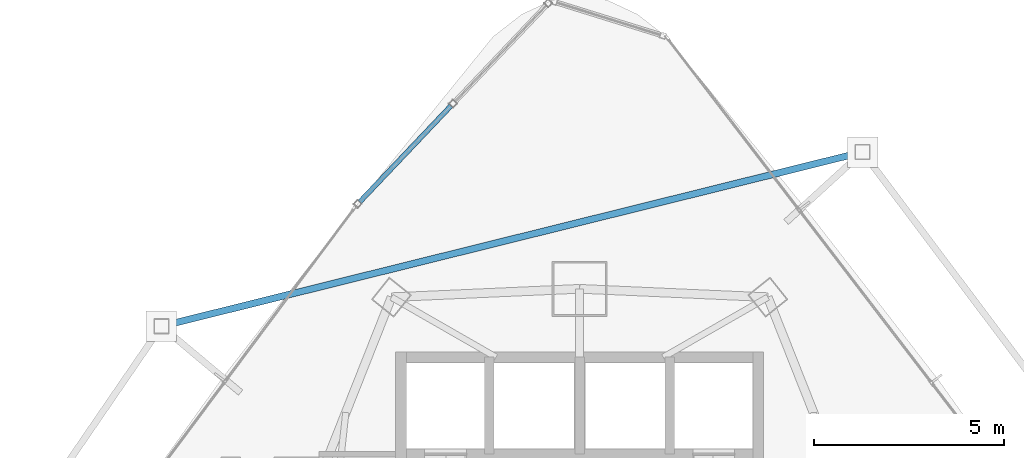
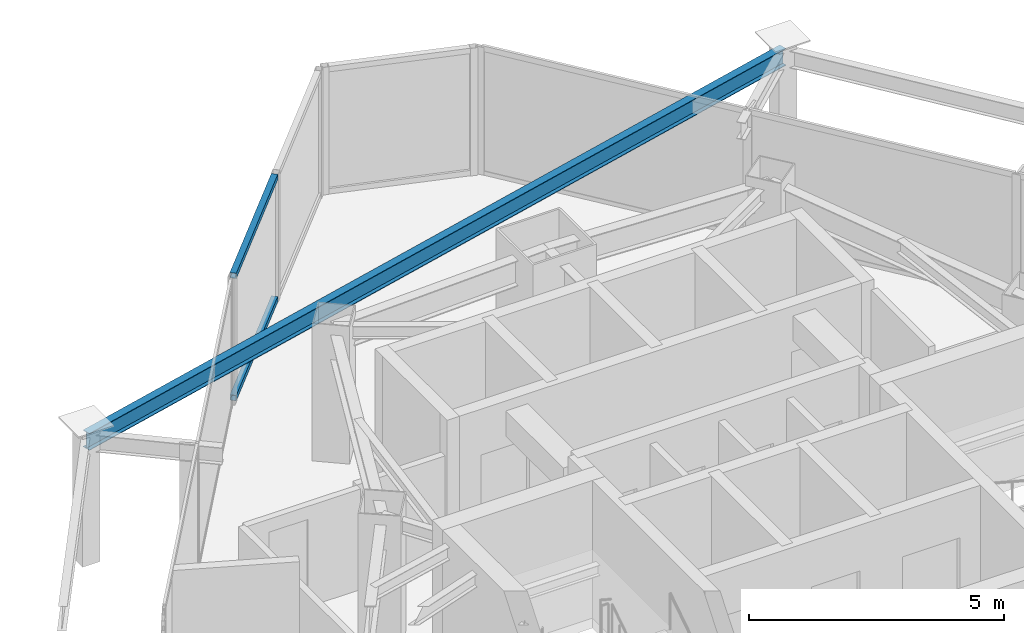
# One storey, part 22 of 31: 2 members, 1 beam, 1 element without a shape of its own.
"""IFC4 building model written with IfcOpenShell, lengths in metres."""

from ifc_helpers import new_model, si_unit, direction, frame, origin, origin_2d, place, context, subcontext, project, spatial, hollow_rectangle, i_section, extrude, material, layer, layer_set, material_profile, profile_set, type_object, element, aggregate, save


model = new_model("IFC4")

# Units and contexts
model_context = context("Model", 3, precision=1e-05, world=origin(), true_north=direction((0.0, 1.0)))
body_context = subcontext(model_context, "Body", "Model", "MODEL_VIEW")
ifc_project = project(units=[si_unit("LENGTHUNIT", "METRE"), si_unit("AREAUNIT", "SQUARE_METRE"), si_unit("VOLUMEUNIT", "CUBIC_METRE"), si_unit("PLANEANGLEUNIT", "RADIAN"), si_unit("MASSUNIT", "GRAM", prefix="KILO")], contexts=[model_context])

# Site, building, storey
site_placement = place(None, origin())
site = spatial("IfcSite", under=ifc_project, at=site_placement, CompositionType="ELEMENT")
building_placement = place(site_placement, origin())
building = spatial("IfcBuilding", under=site, at=building_placement, Name="Orvanel Arch Residences", CompositionType="ELEMENT")
storey_placement = place(building_placement, frame((0.0, 0.0, 133.10009765625)))
storey = spatial("IfcBuildingStorey", under=building, at=storey_placement, Name="L37", CompositionType="ELEMENT", Elevation=133.10009765625)

# Beam
ifc_material_1 = material(Name="Structural steel AS/NZS 3679.1 Grade 300 (300 MPa)", Category="steel")
ifc_material_profile_1 = material_profile(ifc_material_1, i_section(OverallWidth=0.177978515625, OverallDepth=0.406005859375, WebThickness=0.0078125, FlangeThickness=0.0126953125, at=origin_2d()), Name="410UB59.7")
ifc_profile_set_1 = profile_set([ifc_material_profile_1], Name="Structural steel AS/NZS 3679.1 Grade 300 (300 MPa)")
beam_type = type_object("IfcBeamType", Name="OB-410UB-EXT", PredefinedType="SPANDREL", material=ifc_profile_set_1)
beam_placement = place(storey_placement, frame((40.443115234375, 44.9951171875, 2.85693359375), z_axis=(-0.970515386825, -0.241039175105, 0.0), x_axis=(0.241039175105, -0.970515386825, 0.0)))
element("IfcBeam", 1, at=beam_placement, inside=storey, type_object=beam_type, Name="L37 Outer Perimeter Floor Ring Beam 12", PredefinedType="SPANDREL", context=body_context, shape_type="SweptSolid", body=[
    extrude(i_section(OverallWidth=0.177978515625, OverallDepth=0.406005859375, WebThickness=0.0078125, FlangeThickness=0.0126953125, at=origin_2d()), origin(), (0.0, 0.0, 1.0), 19.00537109375),
])

# Curtain wall, members
ifc_material_2 = material(Name="Bronze-anodised aluminium AA6063-T6", Category="aluminium")
ifc_layer = layer(ifc_material_2, 0.18994140625)
ifc_layer_set = layer_set([ifc_layer], Name="Bronze-anodised aluminium AA6063-T6")
curtain_wall_type = type_object("IfcCurtainWallType", Name="CW5-CRN-SYS", PredefinedType="NOTDEFINED", material=ifc_layer_set)
curtain_wall_placement = place(storey_placement, origin())
curtain_wall = element("IfcCurtainWall", 2, at=curtain_wall_placement, inside=storey, type_object=curtain_wall_type, Name="L37 CW5-CRN-SYS Unitised Curtain Wall", PredefinedType="NOTDEFINED")
ifc_material_profile_2 = material_profile(ifc_material_2, hollow_rectangle(XDim=0.1298828125, YDim=0.1298828125, WallThickness=0.00439453125, at=origin_2d()), Name="ALU130x130x4.5")
ifc_profile_set_2 = profile_set([ifc_material_profile_2], Name="Bronze-anodised aluminium AA6063-T6")
member_type = type_object("IfcMemberType", Name="TRN-130x130", PredefinedType="USERDEFINED", material=ifc_profile_set_2)
member_1_placement = place(storey_placement, frame((29.616943359375, 46.213134765625, 0.06494140625), z_axis=(-0.68857290794, -0.725167118981, 0.0), x_axis=(0.725167118981, -0.68857290794, 0.0)))
member_1 = element("IfcMember", 3, at=member_1_placement, type_object=member_type, Name="CW-S5 transom 2.1", ObjectType="TRANSOM", PredefinedType="USERDEFINED", context=body_context, shape_type="SweptSolid", body=[
    extrude(hollow_rectangle(XDim=0.1298828125, YDim=0.1298828125, WallThickness=0.00439453125, at=origin_2d()), origin(), (0.0, 0.0, 1.0), 3.4892578125),
])
member_2_placement = place(storey_placement, frame((29.616943359375, 46.213134765625, 2.994873046875), z_axis=(-0.68857290794, -0.725167118981, 0.0), x_axis=(0.725167118981, -0.68857290794, 0.0)))
member_2 = element("IfcMember", 4, at=member_2_placement, type_object=member_type, Name="CW-S5 transom 2.2", ObjectType="TRANSOM", PredefinedType="USERDEFINED", context=body_context, shape_type="SweptSolid", body=[
    extrude(hollow_rectangle(XDim=0.1298828125, YDim=0.1298828125, WallThickness=0.00439453125, at=origin_2d()), origin(), (0.0, 0.0, 1.0), 3.4892578125),
])
aggregate(curtain_wall, [member_1, member_2])

save(model, "model.ifc")
